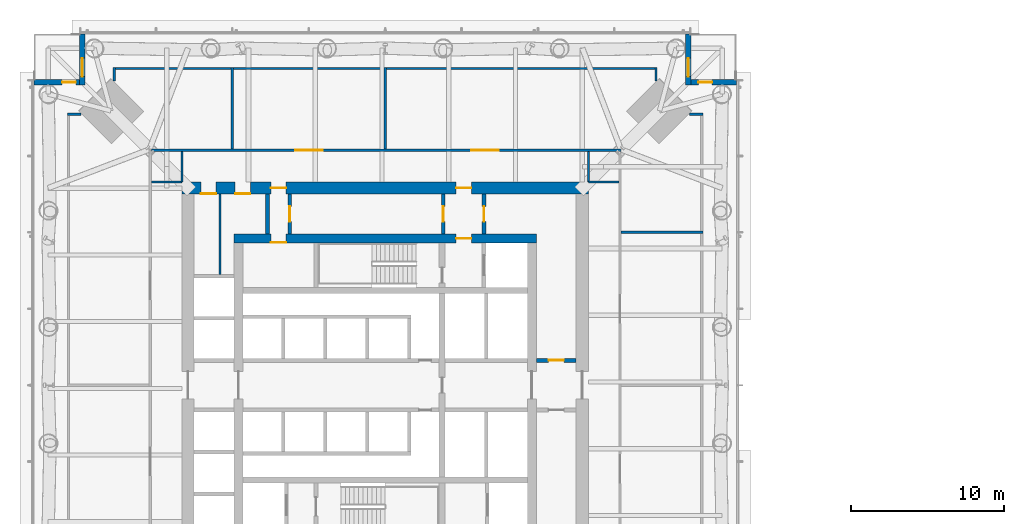
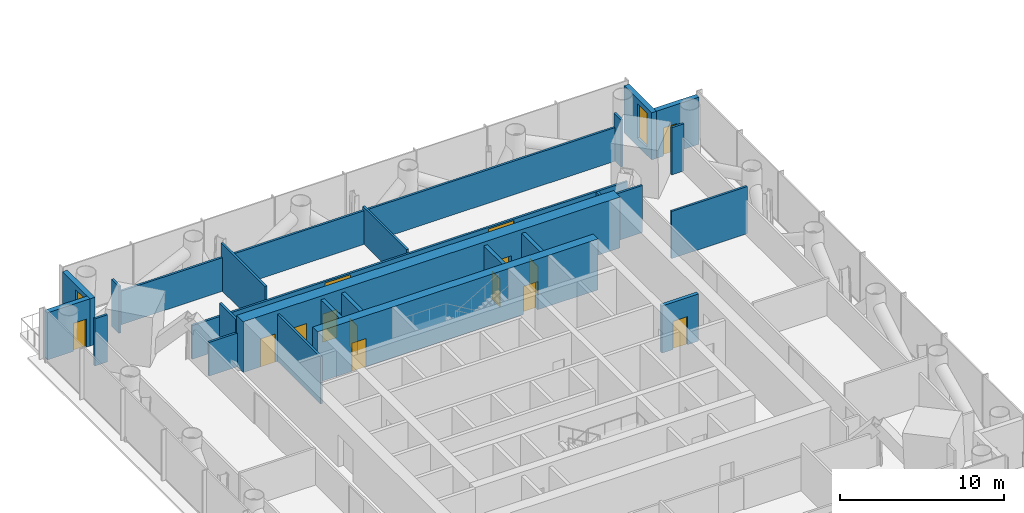
# One storey, part 12 of 28: 25 walls, 14 doors, 2 windows, 16 openings.
"""IFC4 building model written with IfcOpenShell, lengths in metres."""

from ifc_helpers import new_model, si_unit, direction, frame, frame_2d, origin, place, context, subcontext, project, spatial, rectangle, extrude, material, layer, layer_set, type_object, element, fill, save


model = new_model("IFC4")

# Units and contexts
model_context = context("Model", 3, precision=1e-05, world=origin(), true_north=direction((0.0, 1.0)))
body_context = subcontext(model_context, "Body", "Model", "MODEL_VIEW")
ifc_project = project(units=[si_unit("LENGTHUNIT", "METRE"), si_unit("AREAUNIT", "SQUARE_METRE"), si_unit("VOLUMEUNIT", "CUBIC_METRE"), si_unit("PLANEANGLEUNIT", "RADIAN"), si_unit("MASSUNIT", "GRAM", prefix="KILO")], contexts=[model_context])

# Site, building, storey
site_placement = place(None, origin())
site = spatial("IfcSite", under=ifc_project, at=site_placement, CompositionType="ELEMENT")
building_placement = place(site_placement, origin())
building = spatial("IfcBuilding", under=site, at=building_placement, Name="Ostroluk Exchange", CompositionType="ELEMENT")
storey_placement = place(building_placement, frame((0.0, 0.0, 81.800048828125)))
storey = spatial("IfcBuildingStorey", under=building, at=storey_placement, Name="L20", CompositionType="ELEMENT", Elevation=81.800048828125)

# Walls
ifc_material_1 = material(Name="Concrete blockwork", Category="masonry")
ifc_layer_1 = layer(ifc_material_1, 0.14990234375)
ifc_layer_set_1 = layer_set([ifc_layer_1], Name="Blockwork plant room wall 150")
wall_type_1 = type_object("IfcWallType", Name="Blockwork plant room wall 150", PredefinedType="SOLIDWALL", material=ifc_layer_set_1)
wall_1_placement = place(storey_placement, frame((34.18310546875, 53.25, 0.0), z_axis=(0.0, 0.0, 1.0), x_axis=(0.0, 1.0, 0.0)))
element("IfcWall", 1, at=wall_1_placement, inside=storey, type_object=wall_type_1, Name="Core room wall", PredefinedType="SOLIDWALL", context=body_context, shape_type="SweptSolid", body=[
    extrude(rectangle(XDim=5.25, YDim=0.14990234375, at=frame_2d((2.625, 0.0))), origin(), (0.0, 0.0, 1.0), 3.52001953125),
])
wall_2_placement = place(storey_placement, frame((60.449951171875, 56.0, 0.0), z_axis=(0.0, 0.0, 1.0), x_axis=(1.0, 0.0, 0.0)))
element("IfcWall", 2, at=wall_2_placement, inside=storey, type_object=wall_type_1, Name="Plant room wall", PredefinedType="SOLIDWALL", context=body_context, shape_type="SweptSolid", body=[
    extrude(rectangle(XDim=5.35009765625, YDim=0.14990234375, at=frame_2d((2.675048828125, 0.0))), origin(), (0.0, 0.0, 1.0), 3.52001953125),
])
wall_3_placement = place(storey_placement, frame((45.0, 61.449951171875, 0.0), z_axis=(0.0, 0.0, 1.0), x_axis=(0.0, 1.0, 0.0)))
element("IfcWall", 3, at=wall_3_placement, inside=storey, type_object=wall_type_1, Name="Plant room wall", PredefinedType="SOLIDWALL", context=body_context, shape_type="SweptSolid", body=[
    extrude(rectangle(XDim=5.35009765625, YDim=0.14990234375, at=frame_2d((2.675048828125, 0.0))), origin(), (0.0, 0.0, 1.0), 2.758056640625),
])

# Wall, openings, doors
wall_4_placement = place(storey_placement, frame((60.449951171875, 61.375, 0.0), z_axis=(0.0, 0.0, 1.0), x_axis=(-1.0, 0.0, 0.0)))
wall_4 = element("IfcWall", 4, at=wall_4_placement, inside=storey, type_object=wall_type_1, Name="Plant room wall", PredefinedType="SOLIDWALL", context=body_context, shape_type="SweptSolid", body=[
    extrude(rectangle(XDim=30.75, YDim=0.14990234375, at=frame_2d((15.375, 0.0))), origin(), (0.0, 0.0, 1.0), 2.511962890625),
])
opening_1_placement = place(wall_4_placement, frame((8.012451171875, 0.0, 0.0)))
opening_1 = element("IfcOpeningElement", 5, at=opening_1_placement, cuts=wall_4, Name="Opening D-05", PredefinedType="OPENING", context=body_context, shape_type="SweptSolid", body=[
    extrude(rectangle(XDim=1.800048828125, YDim=2.39990234375, at=frame_2d((0.89990234375, 1.199951171875))), frame((0.0, 0.0849609375, 0.0), z_axis=(0.0, -1.0, 0.0), x_axis=(1.0, 0.0, 0.0)), (0.0, 0.0, 1.0), 0.169921875),
])
opening_2_placement = place(wall_4_placement, frame((19.550048828125, 0.0, 0.0)))
opening_2 = element("IfcOpeningElement", 6, at=opening_2_placement, cuts=wall_4, Name="Opening D-05", PredefinedType="OPENING", context=body_context, shape_type="SweptSolid", body=[
    extrude(rectangle(XDim=1.800048828125, YDim=2.39990234375, at=frame_2d((0.89990234375, 1.199951171875))), frame((0.0, 0.0849609375, 0.0), z_axis=(0.0, -1.0, 0.0), x_axis=(1.0, 0.0, 0.0)), (0.0, 0.0, 1.0), 0.169921875),
])
ifc_material_2 = material(Name="Steel", Category="steel")
door_type_1 = type_object("IfcDoorType", Name="Plant room double door EI 60 1800 x 2400", OperationType="DOUBLE_DOOR_SINGLE_SWING", PredefinedType="DOOR", material=ifc_material_2)
door_1_placement = place(opening_1_placement, origin())
door_1 = element("IfcDoor", 7, at=door_1_placement, inside=storey, type_object=door_type_1, Name="Water tank room door", OperationType="DOUBLE_DOOR_SINGLE_SWING", OverallHeight=2.39990234375, OverallWidth=1.800048828125, PredefinedType="DOOR", context=body_context, shape_type="SweptSolid", body=[
    extrude(rectangle(XDim=1.800048828125, YDim=2.39990234375, at=frame_2d((0.89990234375, 1.199951171875))), frame((0.0, 0.02490234375, 0.0), z_axis=(0.0, -1.0, 0.0), x_axis=(1.0, 0.0, 0.0)), (0.0, 0.0, 1.0), 0.050048828125),
])
fill(opening_1, door_1)
door_2_placement = place(opening_2_placement, origin())
door_2 = element("IfcDoor", 8, at=door_2_placement, inside=storey, type_object=door_type_1, Name="Booster pump room door", OperationType="DOUBLE_DOOR_SINGLE_SWING", OverallHeight=2.39990234375, OverallWidth=1.800048828125, PredefinedType="DOOR", context=body_context, shape_type="SweptSolid", body=[
    extrude(rectangle(XDim=1.800048828125, YDim=2.39990234375, at=frame_2d((0.89990234375, 1.199951171875))), frame((0.0, 0.02490234375, 0.0), z_axis=(0.0, -1.0, 0.0), x_axis=(1.0, 0.0, 0.0)), (0.0, 0.0, 1.0), 0.050048828125),
])
fill(opening_2, door_2)

# Wall
wall_5_placement = place(storey_placement, frame((35.0, 61.449951171875, 0.0), z_axis=(0.0, 0.0, 1.0), x_axis=(0.0, 1.0, 0.0)))
element("IfcWall", 9, at=wall_5_placement, inside=storey, type_object=wall_type_1, Name="Plant room wall", PredefinedType="SOLIDWALL", context=body_context, shape_type="SweptSolid", body=[
    extrude(rectangle(XDim=5.35009765625, YDim=0.14990234375, at=frame_2d((2.675048828125, 0.0))), origin(), (0.0, 0.0, 1.0), 3.52001953125),
])

# Wall, opening, door
ifc_material_3 = material(Name="Concrete blockwork", Category="masonry")
ifc_layer_2 = layer(ifc_material_3, 0.25)
ifc_layer_set_2 = layer_set([ifc_layer_2], Name="Blockwork stair enclosure wall 250")
wall_type_2 = type_object("IfcWallType", Name="Blockwork stair enclosure wall 250", PredefinedType="SOLIDWALL", material=ifc_layer_set_2)
wall_6_placement = place(storey_placement, frame((48.804931640625, 55.89990234375, 0.0), z_axis=(0.0, 0.0, 1.0), x_axis=(0.0, 1.0, 0.0)))
wall_6 = element("IfcWall", 10, at=wall_6_placement, inside=storey, type_object=wall_type_2, Name="Fire lobby enclosure wall", PredefinedType="SOLIDWALL", context=body_context, shape_type="SweptSolid", body=[
    extrude(rectangle(XDim=2.60009765625, YDim=0.25, at=frame_2d((1.300048828125, 0.0))), origin(), (0.0, 0.0, 1.0), 3.52001953125),
])
opening_3_placement = place(wall_6_placement, frame((0.800048828125, 0.0, 0.0)))
opening_3 = element("IfcOpeningElement", 11, at=opening_3_placement, cuts=wall_6, Name="Opening FD60", PredefinedType="OPENING", context=body_context, shape_type="SweptSolid", body=[
    extrude(rectangle(XDim=1.0, YDim=2.10009765625, at=frame_2d((0.5, 1.050048828125))), frame((0.0, 0.135009765625, 0.0), z_axis=(0.0, -1.0, 0.0), x_axis=(1.0, 0.0, 0.0)), (0.0, 0.0, 1.0), 0.27001953125),
])
ifc_material_4 = material(Name="Steel", Category="steel")
door_type_2 = type_object("IfcDoorType", Name="Fire door EI 60 1000 x 2100", OperationType="SINGLE_SWING_LEFT", PredefinedType="DOOR", material=ifc_material_4)
door_3_placement = place(opening_3_placement, origin())
door_3 = element("IfcDoor", 12, at=door_3_placement, inside=storey, type_object=door_type_2, Name="Core link door", OperationType="SINGLE_SWING_LEFT", OverallHeight=2.10009765625, OverallWidth=1.0, PredefinedType="DOOR", context=body_context, shape_type="SweptSolid", body=[
    extrude(rectangle(XDim=1.0, YDim=2.10009765625, at=frame_2d((0.5, 1.050048828125))), frame((0.0, 0.02490234375, 0.0), z_axis=(0.0, -1.0, 0.0), x_axis=(1.0, 0.0, 0.0)), (0.0, 0.0, 1.0), 0.050048828125),
])
fill(opening_3, door_3)

wall_7_placement = place(storey_placement, frame((51.47509765625, 55.89990234375, 0.0), z_axis=(0.0, 0.0, 1.0), x_axis=(0.0, 1.0, 0.0)))
wall_7 = element("IfcWall", 13, at=wall_7_placement, inside=storey, type_object=wall_type_2, Name="Fire lobby enclosure wall", PredefinedType="SOLIDWALL", context=body_context, shape_type="SweptSolid", body=[
    extrude(rectangle(XDim=2.60009765625, YDim=0.25, at=frame_2d((1.300048828125, 0.0))), origin(), (0.0, 0.0, 1.0), 3.52001953125),
])
opening_4_placement = place(wall_7_placement, frame((0.800048828125, 0.0, 0.0)))
opening_4 = element("IfcOpeningElement", 14, at=opening_4_placement, cuts=wall_7, Name="Opening FD60", PredefinedType="OPENING", context=body_context, shape_type="SweptSolid", body=[
    extrude(rectangle(XDim=1.0, YDim=2.10009765625, at=frame_2d((0.5, 1.050048828125))), frame((0.0, 0.135009765625, 0.0), z_axis=(0.0, -1.0, 0.0), x_axis=(1.0, 0.0, 0.0)), (0.0, 0.0, 1.0), 0.27001953125),
])
door_4_placement = place(opening_4_placement, origin())
door_4 = element("IfcDoor", 15, at=door_4_placement, inside=storey, type_object=door_type_2, Name="Core link door", OperationType="SINGLE_SWING_LEFT", OverallHeight=2.10009765625, OverallWidth=1.0, PredefinedType="DOOR", context=body_context, shape_type="SweptSolid", body=[
    extrude(rectangle(XDim=1.0, YDim=2.10009765625, at=frame_2d((0.5, 1.050048828125))), frame((0.0, 0.02490234375, 0.0), z_axis=(0.0, -1.0, 0.0), x_axis=(1.0, 0.0, 0.0)), (0.0, 0.0, 1.0), 0.050048828125),
])
fill(opening_4, door_4)

wall_8_placement = place(storey_placement, frame((54.89990234375, 47.625, 0.0), z_axis=(0.0, 0.0, 1.0), x_axis=(1.0, 0.0, 0.0)))
wall_8 = element("IfcWall", 16, at=wall_8_placement, inside=storey, type_object=wall_type_2, Name="Lift lobby enclosure wall", PredefinedType="SOLIDWALL", context=body_context, shape_type="SweptSolid", body=[
    extrude(rectangle(XDim=2.60009765625, YDim=0.25, at=frame_2d((1.300048828125, 0.0))), origin(), (0.0, 0.0, 1.0), 3.52001953125),
])
opening_5_placement = place(wall_8_placement, frame((0.800048828125, 0.0, 0.0)))
opening_5 = element("IfcOpeningElement", 17, at=opening_5_placement, cuts=wall_8, Name="Opening FD60", PredefinedType="OPENING", context=body_context, shape_type="SweptSolid", body=[
    extrude(rectangle(XDim=1.0, YDim=2.10009765625, at=frame_2d((0.5, 1.050048828125))), frame((0.0, 0.135009765625, 0.0), z_axis=(0.0, -1.0, 0.0), x_axis=(1.0, 0.0, 0.0)), (0.0, 0.0, 1.0), 0.27001953125),
])
door_5_placement = place(opening_5_placement, origin())
door_5 = element("IfcDoor", 18, at=door_5_placement, inside=storey, type_object=door_type_2, Name="Core link door", OperationType="SINGLE_SWING_LEFT", OverallHeight=2.10009765625, OverallWidth=1.0, PredefinedType="DOOR", context=body_context, shape_type="SweptSolid", body=[
    extrude(rectangle(XDim=1.0, YDim=2.10009765625, at=frame_2d((0.5, 1.050048828125))), frame((0.0, 0.02490234375, 0.0), z_axis=(0.0, -1.0, 0.0), x_axis=(1.0, 0.0, 0.0)), (0.0, 0.0, 1.0), 0.050048828125),
])
fill(opening_5, door_5)

# Wall
wall_9_placement = place(storey_placement, frame((37.300048828125, 55.89990234375, 0.0), z_axis=(0.0, 0.0, 1.0), x_axis=(0.0, 1.0, 0.0)))
element("IfcWall", 19, at=wall_9_placement, inside=storey, type_object=wall_type_2, Name="Core corridor wall", PredefinedType="SOLIDWALL", context=body_context, shape_type="SweptSolid", body=[
    extrude(rectangle(XDim=2.60009765625, YDim=0.25, at=frame_2d((1.300048828125, 0.0))), origin(), (0.0, 0.0, 1.0), 3.52001953125),
])

# Wall, opening, door
wall_10_placement = place(storey_placement, frame((38.75, 55.89990234375, 0.0), z_axis=(0.0, 0.0, 1.0), x_axis=(0.0, 1.0, 0.0)))
wall_10 = element("IfcWall", 20, at=wall_10_placement, inside=storey, type_object=wall_type_2, Name="Core corridor wall", PredefinedType="SOLIDWALL", context=body_context, shape_type="SweptSolid", body=[
    extrude(rectangle(XDim=2.60009765625, YDim=0.25, at=frame_2d((1.300048828125, 0.0))), origin(), (0.0, 0.0, 1.0), 3.52001953125),
])
opening_6_placement = place(wall_10_placement, frame((0.800048828125, 0.0, 0.0)))
opening_6 = element("IfcOpeningElement", 21, at=opening_6_placement, cuts=wall_10, Name="Opening FD60", PredefinedType="OPENING", context=body_context, shape_type="SweptSolid", body=[
    extrude(rectangle(XDim=1.0, YDim=2.10009765625, at=frame_2d((0.5, 1.050048828125))), frame((0.0, 0.135009765625, 0.0), z_axis=(0.0, -1.0, 0.0), x_axis=(1.0, 0.0, 0.0)), (0.0, 0.0, 1.0), 0.27001953125),
])
door_6_placement = place(opening_6_placement, origin())
door_6 = element("IfcDoor", 22, at=door_6_placement, inside=storey, type_object=door_type_2, Name="Core link door", OperationType="SINGLE_SWING_LEFT", OverallHeight=2.10009765625, OverallWidth=1.0, PredefinedType="DOOR", context=body_context, shape_type="SweptSolid", body=[
    extrude(rectangle(XDim=1.0, YDim=2.10009765625, at=frame_2d((0.5, 1.050048828125))), frame((0.0, 0.02490234375, 0.0), z_axis=(0.0, -1.0, 0.0), x_axis=(1.0, 0.0, 0.0)), (0.0, 0.0, 1.0), 0.050048828125),
])
fill(opening_6, door_6)

# Wall, openings, doors
ifc_material_5 = material(Name="Concrete C50/60", Category="concrete")
ifc_layer_3 = layer(ifc_material_5, 0.60009765625)
ifc_layer_set_3 = layer_set([ifc_layer_3], Name="Core wall 600 C50/60")
wall_type_3 = type_object("IfcWallType", Name="Core wall 600 C50/60", PredefinedType="SHEAR", material=ifc_layer_set_3)
wall_11_placement = place(storey_placement, frame((35.10009765625, 55.60009765625, 0.0), z_axis=(0.0, 0.0, 1.0), x_axis=(1.0, 0.0, 0.0)))
wall_11 = element("IfcWall", 23, at=wall_11_placement, inside=storey, type_object=wall_type_3, Name="T1 core wall N", PredefinedType="SHEAR", context=body_context, shape_type="SweptSolid", body=[
    extrude(rectangle(XDim=19.7998046875, YDim=0.60009765625, at=frame_2d((9.89990234375, 0.0))), origin(), (0.0, 0.0, 1.0), 3.800048828125),
])
opening_7_placement = place(wall_11_placement, frame((14.5400390625, 0.0, 0.0)))
opening_7 = element("IfcOpeningElement", 24, at=opening_7_placement, cuts=wall_11, Name="Opening FD60", PredefinedType="OPENING", context=body_context, shape_type="SweptSolid", body=[
    extrude(rectangle(XDim=1.0, YDim=2.10009765625, at=frame_2d((0.5, 1.050048828125))), frame((0.0, 0.31005859375, 0.0), z_axis=(0.0, -1.0, 0.0), x_axis=(1.0, 0.0, 0.0)), (0.0, 0.0, 1.0), 0.6201171875),
])
opening_8_placement = place(wall_11_placement, frame((2.425048828125, 0.0, 0.0)))
opening_8 = element("IfcOpeningElement", 25, at=opening_8_placement, cuts=wall_11, Name="Opening FD60", PredefinedType="OPENING", context=body_context, shape_type="SweptSolid", body=[
    extrude(rectangle(XDim=1.0, YDim=2.10009765625, at=frame_2d((0.5, 1.050048828125))), frame((0.0, 0.31005859375, 0.0), z_axis=(0.0, -1.0, 0.0), x_axis=(1.0, 0.0, 0.0)), (0.0, 0.0, 1.0), 0.6201171875),
])
door_7_placement = place(opening_7_placement, origin())
door_7 = element("IfcDoor", 26, at=door_7_placement, inside=storey, type_object=door_type_2, Name="Firefighting lobby door", OperationType="SINGLE_SWING_RIGHT", OverallHeight=2.10009765625, OverallWidth=1.0, PredefinedType="DOOR", context=body_context, shape_type="SweptSolid", body=[
    extrude(rectangle(XDim=1.0, YDim=2.10009765625, at=frame_2d((0.5, 1.050048828125))), frame((0.0, 0.02490234375, 0.0), z_axis=(0.0, -1.0, 0.0), x_axis=(1.0, 0.0, 0.0)), (0.0, 0.0, 1.0), 0.050048828125),
])
fill(opening_7, door_7)
door_8_placement = place(opening_8_placement, origin())
door_8 = element("IfcDoor", 27, at=door_8_placement, inside=storey, type_object=door_type_2, Name="Plant control room door", OperationType="SINGLE_SWING_LEFT", OverallHeight=2.10009765625, OverallWidth=1.0, PredefinedType="DOOR", context=body_context, shape_type="SweptSolid", body=[
    extrude(rectangle(XDim=1.0, YDim=2.10009765625, at=frame_2d((0.5, 1.050048828125))), frame((0.0, -0.23974609375, 0.0), z_axis=(0.0, -1.0, 0.0), x_axis=(1.0, 0.0, 0.0)), (0.0, 0.0, 1.0), 0.050048828125),
])
fill(opening_8, door_8)

ifc_material_6 = material(Name="Concrete C50/60", Category="concrete")
ifc_layer_4 = layer(ifc_material_6, 0.800048828125)
ifc_layer_set_4 = layer_set([ifc_layer_4], Name="Core wall 800 C50/60")
wall_type_4 = type_object("IfcWallType", Name="Core wall 800 C50/60", PredefinedType="SHEAR", material=ifc_layer_set_4)
wall_12_placement = place(storey_placement, frame((31.699951171875, 58.89990234375, 0.0), z_axis=(0.0, 0.0, 1.0), x_axis=(1.0, 0.0, 0.0)))
wall_12 = element("IfcWall", 28, at=wall_12_placement, inside=storey, type_object=wall_type_4, Name="T1 core wall RN", PredefinedType="SHEAR", context=body_context, shape_type="SweptSolid", body=[
    extrude(rectangle(XDim=26.60009765625, YDim=0.800048828125, at=frame_2d((13.300048828125, 0.0))), origin(), (0.0, 0.0, 1.0), 3.800048828125),
])
opening_9_placement = place(wall_12_placement, frame((17.93994140625, 0.0, 0.0)))
opening_9 = element("IfcOpeningElement", 29, at=opening_9_placement, cuts=wall_12, Name="Opening FD60", PredefinedType="OPENING", context=body_context, shape_type="SweptSolid", body=[
    extrude(rectangle(XDim=1.0, YDim=2.10009765625, at=frame_2d((0.5, 1.050048828125))), frame((0.0, 0.409912109375, 0.0), z_axis=(0.0, -1.0, 0.0), x_axis=(1.0, 0.0, 0.0)), (0.0, 0.0, 1.0), 0.820068359375),
])
opening_10_placement = place(wall_12_placement, frame((5.824951171875, 0.0, 0.0)))
opening_10 = element("IfcOpeningElement", 30, at=opening_10_placement, cuts=wall_12, Name="Opening FD60", PredefinedType="OPENING", context=body_context, shape_type="SweptSolid", body=[
    extrude(rectangle(XDim=1.0, YDim=2.10009765625, at=frame_2d((0.5, 1.050048828125))), frame((0.0, 0.409912109375, 0.0), z_axis=(0.0, -1.0, 0.0), x_axis=(1.0, 0.0, 0.0)), (0.0, 0.0, 1.0), 0.820068359375),
])
opening_11_placement = place(wall_12_placement, frame((1.23291015625, 0.0, 0.0)))
opening_11 = element("IfcOpeningElement", 31, at=opening_11_placement, cuts=wall_12, Name="Opening FD60", PredefinedType="OPENING", context=body_context, shape_type="SweptSolid", body=[
    extrude(rectangle(XDim=1.0, YDim=2.10009765625, at=frame_2d((0.5, 1.050048828125))), frame((0.0, 0.409912109375, 0.0), z_axis=(0.0, -1.0, 0.0), x_axis=(1.0, 0.0, 0.0)), (0.0, 0.0, 1.0), 0.820068359375),
])
opening_12_placement = place(wall_12_placement, frame((3.47900390625, 0.0, 0.0)))
opening_12 = element("IfcOpeningElement", 32, at=opening_12_placement, cuts=wall_12, Name="Opening FD60", PredefinedType="OPENING", context=body_context, shape_type="SweptSolid", body=[
    extrude(rectangle(XDim=1.0, YDim=2.10009765625, at=frame_2d((0.5, 1.050048828125))), frame((0.0, 0.409912109375, 0.0), z_axis=(0.0, -1.0, 0.0), x_axis=(1.0, 0.0, 0.0)), (0.0, 0.0, 1.0), 0.820068359375),
])
door_9_placement = place(opening_9_placement, origin())
door_9 = element("IfcDoor", 33, at=door_9_placement, inside=storey, type_object=door_type_2, Name="Firefighting lobby door", OperationType="SINGLE_SWING_RIGHT", OverallHeight=2.10009765625, OverallWidth=1.0, PredefinedType="DOOR", context=body_context, shape_type="SweptSolid", body=[
    extrude(rectangle(XDim=1.0, YDim=2.10009765625, at=frame_2d((0.5, 1.050048828125))), frame((0.0, 0.02490234375, 0.0), z_axis=(0.0, -1.0, 0.0), x_axis=(1.0, 0.0, 0.0)), (0.0, 0.0, 1.0), 0.050048828125),
])
fill(opening_9, door_9)
door_10_placement = place(opening_10_placement, origin())
door_10 = element("IfcDoor", 34, at=door_10_placement, inside=storey, type_object=door_type_2, Name="Core corridor door", OperationType="SINGLE_SWING_LEFT", OverallHeight=2.10009765625, OverallWidth=1.0, PredefinedType="DOOR", context=body_context, shape_type="SweptSolid", body=[
    extrude(rectangle(XDim=1.0, YDim=2.10009765625, at=frame_2d((0.5, 1.050048828125))), frame((0.0, 0.02490234375, 0.0), z_axis=(0.0, -1.0, 0.0), x_axis=(1.0, 0.0, 0.0)), (0.0, 0.0, 1.0), 0.050048828125),
])
fill(opening_10, door_10)
door_11_placement = place(opening_11_placement, origin())
door_11 = element("IfcDoor", 35, at=door_11_placement, inside=storey, type_object=door_type_2, Name="Plant control room door", OperationType="SINGLE_SWING_LEFT", OverallHeight=2.10009765625, OverallWidth=1.0, PredefinedType="DOOR", context=body_context, shape_type="SweptSolid", body=[
    extrude(rectangle(XDim=1.0, YDim=2.10009765625, at=frame_2d((0.5, 1.050048828125))), frame((0.0, -0.33984375, 0.0), z_axis=(0.0, -1.0, 0.0), x_axis=(1.0, 0.0, 0.0)), (0.0, 0.0, 1.0), 0.050048828125),
])
fill(opening_11, door_11)
door_12_placement = place(opening_12_placement, origin())
door_12 = element("IfcDoor", 36, at=door_12_placement, inside=storey, type_object=door_type_2, Name="Plant control room door", OperationType="SINGLE_SWING_LEFT", OverallHeight=2.10009765625, OverallWidth=1.0, PredefinedType="DOOR", context=body_context, shape_type="SweptSolid", body=[
    extrude(rectangle(XDim=1.0, YDim=2.10009765625, at=frame_2d((0.5, 1.050048828125))), frame((0.0, -0.33984375, 0.0), z_axis=(0.0, -1.0, 0.0), x_axis=(1.0, 0.0, 0.0)), (0.0, 0.0, 1.0), 0.050048828125),
])
fill(opening_12, door_12)

# Wall, opening, window
ifc_material_7 = material(Name="Limestone", Category="masonry")
ifc_layer_5 = layer(ifc_material_7, 0.35009765625)
ifc_layer_set_5 = layer_set([ifc_layer_5], Name="Limestone facade wall 350")
wall_type_5 = type_object("IfcWallType", Name="Limestone facade wall 350", PredefinedType="SOLIDWALL", material=ifc_layer_set_5)
wall_13_placement = place(storey_placement, frame((64.824951171875, 69.0, 0.0), z_axis=(0.0, 0.0, 1.0), x_axis=(0.0, -1.0, 0.0)))
wall_13 = element("IfcWall", 37, at=wall_13_placement, inside=storey, type_object=wall_type_5, Name="Office tower NE corner wall L20 a", PredefinedType="SOLIDWALL", context=body_context, shape_type="SweptSolid", body=[
    extrude(rectangle(XDim=3.35009765625, YDim=0.35009765625, at=frame_2d((1.675048828125, 0.0))), origin(), (0.0, 0.0, 1.0), 3.52001953125),
])
opening_13_placement = place(wall_13_placement, frame((1.60009765625, 0.0, 0.60009765625)))
opening_13 = element("IfcOpeningElement", 38, at=opening_13_placement, cuts=wall_13, Name="Opening WN-LV1", PredefinedType="OPENING", context=body_context, shape_type="SweptSolid", body=[
    extrude(rectangle(XDim=1.199951171875, YDim=2.550048828125, at=frame_2d((0.60009765625, 1.27490234375))), frame((0.0, 0.18505859375, 0.0), z_axis=(0.0, -1.0, 0.0), x_axis=(1.0, 0.0, 0.0)), (0.0, 0.0, 1.0), 0.3701171875),
])
ifc_material_8 = material(Name="Aluminium louvre", Category="aluminium")
window_type = type_object("IfcWindowType", Name="Lancet louvre 1200 x 2550", PartitioningType="SINGLE_PANEL", PredefinedType="USERDEFINED", material=ifc_material_8)
window_1_placement = place(opening_13_placement, origin())
window_1 = element("IfcWindow", 39, at=window_1_placement, inside=storey, type_object=window_type, Name="Office tower NE plant louvre L20", ObjectType="LOUVRE", OverallHeight=2.550048828125, OverallWidth=1.199951171875, PartitioningType="SINGLE_PANEL", PredefinedType="USERDEFINED", context=body_context, shape_type="SweptSolid", body=[
    extrude(rectangle(XDim=1.199951171875, YDim=2.550048828125, at=frame_2d((0.60009765625, 1.27490234375))), frame((0.0, 0.030029296875, 0.0), z_axis=(0.0, -1.0, 0.0), x_axis=(1.0, 0.0, 0.0)), (0.0, 0.0, 1.0), 0.06005859375),
])
fill(opening_13, window_1)

# Wall, opening, door
wall_14_placement = place(storey_placement, frame((65.0, 65.824951171875, 0.0), z_axis=(0.0, 0.0, 1.0), x_axis=(1.0, 0.0, 0.0)))
wall_14 = element("IfcWall", 40, at=wall_14_placement, inside=storey, type_object=wall_type_5, Name="Office tower NE corner wall L20 b", PredefinedType="SOLIDWALL", context=body_context, shape_type="SweptSolid", body=[
    extrude(rectangle(XDim=3.0, YDim=0.35009765625, at=frame_2d((1.5, 0.0))), origin(), (0.0, 0.0, 1.0), 3.52001953125),
])
opening_14_placement = place(wall_14_placement, frame((0.5, 0.0, 0.0)))
opening_14 = element("IfcOpeningElement", 41, at=opening_14_placement, cuts=wall_14, Name="Opening D-M1", PredefinedType="OPENING", context=body_context, shape_type="SweptSolid", body=[
    extrude(rectangle(XDim=0.89990234375, YDim=2.10009765625, at=frame_2d((0.449951171875, 1.050048828125))), frame((0.0, 0.18505859375, 0.0), z_axis=(0.0, -1.0, 0.0), x_axis=(1.0, 0.0, 0.0)), (0.0, 0.0, 1.0), 0.3701171875),
])
ifc_material_9 = material(Name="Steel door", Category="steel")
door_type_3 = type_object("IfcDoorType", Name="Maintenance access door 900 x 2100", OperationType="SINGLE_SWING_LEFT", PredefinedType="DOOR", material=ifc_material_9)
door_13_placement = place(opening_14_placement, origin())
door_13 = element("IfcDoor", 42, at=door_13_placement, inside=storey, type_object=door_type_3, Name="Maintenance access door T1 L20 NE", OperationType="SINGLE_SWING_LEFT", OverallHeight=2.10009765625, OverallWidth=0.89990234375, PredefinedType="DOOR", context=body_context, shape_type="SweptSolid", body=[
    extrude(rectangle(XDim=0.89990234375, YDim=2.10009765625, at=frame_2d((0.449951171875, 1.050048828125))), frame((0.0, 0.02490234375, 0.0), z_axis=(0.0, -1.0, 0.0), x_axis=(1.0, 0.0, 0.0)), (0.0, 0.0, 1.0), 0.050048828125),
])
fill(opening_14, door_13)

# Wall, opening, window
wall_15_placement = place(storey_placement, frame((25.175048828125, 69.0, 0.0), z_axis=(0.0, 0.0, 1.0), x_axis=(0.0, -1.0, 0.0)))
wall_15 = element("IfcWall", 43, at=wall_15_placement, inside=storey, type_object=wall_type_5, Name="Office tower NW corner wall L20 a", PredefinedType="SOLIDWALL", context=body_context, shape_type="SweptSolid", body=[
    extrude(rectangle(XDim=3.35009765625, YDim=0.35009765625, at=frame_2d((1.675048828125, 0.0))), origin(), (0.0, 0.0, 1.0), 3.52001953125),
])
opening_15_placement = place(wall_15_placement, frame((1.60009765625, 0.0, 0.60009765625)))
opening_15 = element("IfcOpeningElement", 44, at=opening_15_placement, cuts=wall_15, Name="Opening WN-LV1", PredefinedType="OPENING", context=body_context, shape_type="SweptSolid", body=[
    extrude(rectangle(XDim=1.199951171875, YDim=2.550048828125, at=frame_2d((0.60009765625, 1.27490234375))), frame((0.0, 0.18505859375, 0.0), z_axis=(0.0, -1.0, 0.0), x_axis=(1.0, 0.0, 0.0)), (0.0, 0.0, 1.0), 0.3701171875),
])
window_2_placement = place(opening_15_placement, origin())
window_2 = element("IfcWindow", 45, at=window_2_placement, inside=storey, type_object=window_type, Name="Office tower NW plant louvre L20", ObjectType="LOUVRE", OverallHeight=2.550048828125, OverallWidth=1.199951171875, PartitioningType="SINGLE_PANEL", PredefinedType="USERDEFINED", context=body_context, shape_type="SweptSolid", body=[
    extrude(rectangle(XDim=1.199951171875, YDim=2.550048828125, at=frame_2d((0.60009765625, 1.27490234375))), frame((0.0, 0.030029296875, 0.0), z_axis=(0.0, -1.0, 0.0), x_axis=(1.0, 0.0, 0.0)), (0.0, 0.0, 1.0), 0.06005859375),
])
fill(opening_15, window_2)

# Wall, opening, door
wall_16_placement = place(storey_placement, frame((25.0, 65.824951171875, 0.0), z_axis=(0.0, 0.0, 1.0), x_axis=(-1.0, 0.0, 0.0)))
wall_16 = element("IfcWall", 46, at=wall_16_placement, inside=storey, type_object=wall_type_5, Name="Office tower NW corner wall L20 b", PredefinedType="SOLIDWALL", context=body_context, shape_type="SweptSolid", body=[
    extrude(rectangle(XDim=3.0, YDim=0.35009765625, at=frame_2d((1.5, 0.0))), origin(), (0.0, 0.0, 1.0), 3.52001953125),
])
opening_16_placement = place(wall_16_placement, frame((0.25, 0.0, 0.0)))
opening_16 = element("IfcOpeningElement", 47, at=opening_16_placement, cuts=wall_16, Name="Opening D-M1", PredefinedType="OPENING", context=body_context, shape_type="SweptSolid", body=[
    extrude(rectangle(XDim=0.89990234375, YDim=2.10009765625, at=frame_2d((0.449951171875, 1.050048828125))), frame((0.0, 0.18505859375, 0.0), z_axis=(0.0, -1.0, 0.0), x_axis=(1.0, 0.0, 0.0)), (0.0, 0.0, 1.0), 0.3701171875),
])
door_14_placement = place(opening_16_placement, origin())
door_14 = element("IfcDoor", 48, at=door_14_placement, inside=storey, type_object=door_type_3, Name="Maintenance access door T1 L20 NW", OperationType="SINGLE_SWING_LEFT", OverallHeight=2.10009765625, OverallWidth=0.89990234375, PredefinedType="DOOR", context=body_context, shape_type="SweptSolid", body=[
    extrude(rectangle(XDim=0.89990234375, YDim=2.10009765625, at=frame_2d((0.449951171875, 1.050048828125))), frame((0.0, 0.02490234375, 0.0), z_axis=(0.0, -1.0, 0.0), x_axis=(1.0, 0.0, 0.0)), (0.0, 0.0, 1.0), 0.050048828125),
])
fill(opening_16, door_14)

# Walls
ifc_material_10 = material(Name="Gypsum plasterboard partition", Category="gypsum")
ifc_layer_6 = layer(ifc_material_10, 0.14990234375)
ifc_layer_set_6 = layer_set([ifc_layer_6], Name="Plasterboard partition 150")
wall_type_6 = type_object("IfcWallType", Name="Plasterboard partition 150", PredefinedType="PARTITIONING", material=ifc_layer_set_6)
for number, where, z_axis, x_axis, name in (
    (49, (58.300048828125, 59.300048828125, 0.0), (0.0, 0.0, 1.0), (1.0, 0.0, 0.0), "Partition"),
    (50, (31.699951171875, 59.300048828125, 0.0), (0.0, 0.0, 1.0), (0.0, 1.0, 0.0), "Partition"),
):
    element("IfcWall", number, at=place(storey_placement, frame(where, z_axis=z_axis, x_axis=x_axis)), inside=storey, type_object=wall_type_6, Name=name, PredefinedType="PARTITIONING", context=body_context, shape_type="SweptSolid", body=[
        extrude(rectangle(XDim=2.0, YDim=0.14990234375, at=frame_2d((1.0, 0.0))), origin(), (0.0, 0.0, 1.0), 3.52001953125),
    ])
for number, where, z_axis, x_axis, name in (
    (51, (58.300048828125, 59.300048828125, 0.0), (0.0, 0.0, 1.0), (0.0, 1.0, 0.0), "Partition"),
    (52, (31.699951171875, 59.300048828125, 0.0), (0.0, 0.0, 1.0), (-1.0, 0.0, 0.0), "Partition"),
):
    element("IfcWall", number, at=place(storey_placement, frame(where, z_axis=z_axis, x_axis=x_axis)), inside=storey, type_object=wall_type_6, Name=name, PredefinedType="PARTITIONING", context=body_context, shape_type="SweptSolid", body=[
        extrude(rectangle(XDim=2.0, YDim=0.14990234375, at=frame_2d((1.0, 0.0))), origin(), (0.0, 0.0, 1.0), 2.511962890625),
    ])
for number, where, z_axis, x_axis, name in (
    (53, (24.199951171875, 63.72509765625, 0.0), (0.0, 0.0, 1.0), (1.0, 0.0, 0.0), "Truss zone partition"),
    (54, (27.27490234375, 65.92138671875, 0.0), (0.0, 0.0, 1.0), (0.0, 1.0, 0.0), "Truss zone partition"),
):
    element("IfcWall", number, at=place(storey_placement, frame(where, z_axis=z_axis, x_axis=x_axis)), inside=storey, type_object=wall_type_6, Name=name, PredefinedType="PARTITIONING", context=body_context, shape_type="SweptSolid", body=[
        extrude(rectangle(XDim=0.878662109375, YDim=0.14990234375, at=frame_2d((0.439453125, 0.0))), origin(), (0.0, 0.0, 1.0), 3.52001953125),
    ])
wall_17_placement = place(storey_placement, frame((27.199951171875, 66.72509765625, 0.0), z_axis=(0.0, 0.0, 1.0), x_axis=(1.0, 0.0, 0.0)))
element("IfcWall", 55, at=wall_17_placement, inside=storey, type_object=wall_type_6, Name="Truss zone partition", PredefinedType="PARTITIONING", context=body_context, shape_type="SweptSolid", body=[
    extrude(rectangle(XDim=35.60009765625, YDim=0.14990234375, at=frame_2d((17.800048828125, 0.0))), origin(), (0.0, 0.0, 1.0), 2.511962890625),
])
for number, where, z_axis, x_axis, name in (
    (56, (62.72509765625, 66.800048828125, 0.0), (0.0, 0.0, 1.0), (0.0, -1.0, 0.0), "Truss zone partition"),
    (57, (64.92138671875, 63.72509765625, 0.0), (0.0, 0.0, 1.0), (1.0, 0.0, 0.0), "Truss zone partition"),
):
    element("IfcWall", number, at=place(storey_placement, frame(where, z_axis=z_axis, x_axis=x_axis)), inside=storey, type_object=wall_type_6, Name=name, PredefinedType="PARTITIONING", context=body_context, shape_type="SweptSolid", body=[
        extrude(rectangle(XDim=0.878662109375, YDim=0.14990234375, at=frame_2d((0.439453125, 0.0))), origin(), (0.0, 0.0, 1.0), 3.52001953125),
    ])

save(model, "model.ifc")
